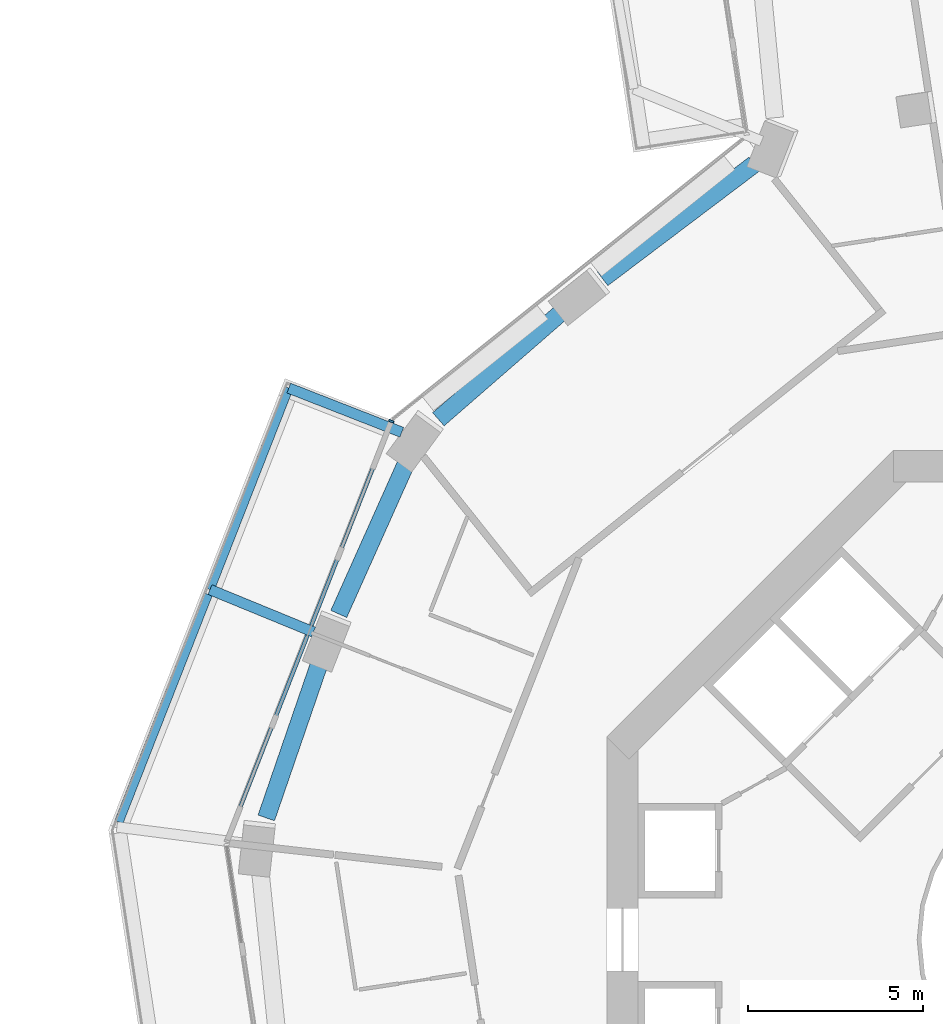
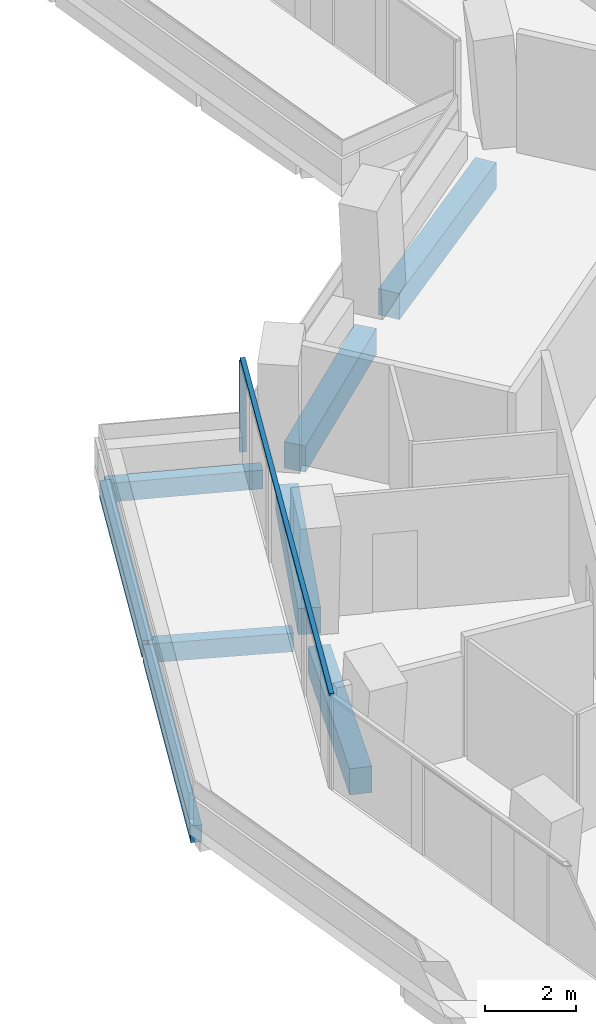
# One storey, part 7 of 28: 8 beams, 2 members, 1 element without a shape of its own.
"""IFC4 building model written with IfcOpenShell, lengths in metres."""

from ifc_helpers import new_model, si_unit, direction, frame, origin, origin_2d, place, context, subcontext, project, spatial, rectangle, extrude, material, layer, layer_set, material_profile, profile_set, type_object, element, aggregate, save


model = new_model("IFC4")

# Units and contexts
model_context = context("Model", 3, precision=1e-05, world=origin(), true_north=direction((0.0, 1.0)))
body_context = subcontext(model_context, "Body", "Model", "MODEL_VIEW")
ifc_project = project(units=[si_unit("LENGTHUNIT", "METRE"), si_unit("AREAUNIT", "SQUARE_METRE"), si_unit("VOLUMEUNIT", "CUBIC_METRE"), si_unit("PLANEANGLEUNIT", "RADIAN"), si_unit("MASSUNIT", "GRAM", prefix="KILO")], contexts=[model_context])

# Site, building, storey
site_placement = place(None, origin())
site = spatial("IfcSite", under=ifc_project, at=site_placement, CompositionType="ELEMENT")
building_placement = place(site_placement, origin())
building = spatial("IfcBuilding", under=site, at=building_placement, Name="Verdalira Terraces Hotel", CompositionType="ELEMENT")
storey_placement = place(building_placement, frame((0.0, 0.0, 68.0)))
storey = spatial("IfcBuildingStorey", under=building, at=storey_placement, Name="L15", CompositionType="ELEMENT", Elevation=68.0)

# Beams
ifc_material_1 = material(Name="Concrete C40", Category="concrete")
ifc_material_profile_1 = material_profile(ifc_material_1, rectangle(XDim=0.300049, YDim=0.5, at=origin_2d()), Name="RC 300X500")
ifc_profile_set_1 = profile_set([ifc_material_profile_1], Name="Concrete C40")
beam_type_1 = type_object("IfcBeamType", Name="Balcony cantilever beam RC 300X500 C40", PredefinedType="BEAM", material=ifc_profile_set_1)
beam_1_placement = place(storey_placement, frame((-19.863525, 14.517334, -0.560059), z_axis=(-0.931315392, 0.364213729, 0.0), x_axis=(-0.364213729, -0.931315392, 0.0)))
element("IfcBeam", 1, at=beam_1_placement, inside=storey, type_object=beam_type_1, Name="Balcony cantilever beam R12-3", PredefinedType="BEAM", context=body_context, shape_type="SweptSolid", body=[
    extrude(rectangle(XDim=0.300049, YDim=0.5, at=origin_2d()), origin(), (0.0, 0.0, 1.0), 3.47168),
])
beam_2_placement = place(storey_placement, frame((-22.389893, 8.802246, -0.560059), z_axis=(-0.925088249, 0.379752197, 0.0), x_axis=(-0.379752197, -0.925088249, 0.0)))
element("IfcBeam", 2, at=beam_2_placement, inside=storey, type_object=beam_type_1, Name="Balcony cantilever beam R12-4", PredefinedType="BEAM", context=body_context, shape_type="SweptSolid", body=[
    extrude(rectangle(XDim=0.300049, YDim=0.5, at=origin_2d()), origin(), (0.0, 0.0, 1.0), 3.200928),
])
ifc_material_2 = material(Name="Concrete C40", Category="concrete")
ifc_material_profile_2 = material_profile(ifc_material_2, rectangle(XDim=0.25, YDim=0.449951, at=origin_2d()), Name="RC 250X450")
ifc_profile_set_2 = profile_set([ifc_material_profile_2], Name="Concrete C40")
beam_type_2 = type_object("IfcBeamType", Name="Balcony edge beam RC 250X450 C40", PredefinedType="BEAM", material=ifc_profile_set_2)
beam_3_placement = place(storey_placement, frame((-23.09668, 15.781738, -0.534912), z_axis=(-0.364252097, -0.931300386, 0.0), x_axis=(0.931300386, -0.364252097, 0.0)))
element("IfcBeam", 3, at=beam_3_placement, inside=storey, type_object=beam_type_2, Name="Balcony edge beam R12-2", PredefinedType="BEAM", context=body_context, shape_type="SweptSolid", body=[
    extrude(rectangle(XDim=0.25, YDim=0.449951, at=origin_2d()), origin(), (0.0, 0.0, 1.0), 6.189209),
])
beam_4_placement = place(storey_placement, frame((-25.405762, 9.878174, -0.534912), z_axis=(-0.364968215, -0.931019979, 0.0), x_axis=(0.931019979, -0.364968215, 0.0)))
element("IfcBeam", 4, at=beam_4_placement, inside=storey, type_object=beam_type_2, Name="Balcony edge beam R12-3", PredefinedType="BEAM", context=body_context, shape_type="SweptSolid", body=[
    extrude(rectangle(XDim=0.25, YDim=0.449951, at=origin_2d()), origin(), (0.0, 0.0, 1.0), 6.989746),
])

# Curtain wall, members
ifc_material_3 = material(Name="Clear glass", Category="glass")
ifc_layer = layer(ifc_material_3, 0.14990234375)
ifc_layer_set = layer_set([ifc_layer], Name="CW1 curtain wall")
curtain_wall_type = type_object("IfcCurtainWallType", Name="CW1 curtain wall", PredefinedType="NOTDEFINED", material=ifc_layer_set)
curtain_wall_placement = place(storey_placement, origin())
curtain_wall = element("IfcCurtainWall", 5, at=curtain_wall_placement, inside=storey, type_object=curtain_wall_type, Name="CW1 curtain wall L15 edge 12", PredefinedType="NOTDEFINED")
ifc_material_4 = material(Name="Terracotta frame", Category="masonry")
ifc_material_profile_3 = material_profile(ifc_material_4, rectangle(XDim=0.060059, YDim=0.149902, at=origin_2d()), Name="MU 60x150")
ifc_profile_set_3 = profile_set([ifc_material_profile_3], Name="Terracotta frame")
member_type_1 = type_object("IfcMemberType", Name="CW1 mullion 60x150", PredefinedType="MULLION", material=ifc_profile_set_3)
member_1_placement = place(storey_placement, frame((-20.165527, 14.83374, 0.0), z_axis=(0.0, 0.0, 1.0), x_axis=(-0.364226696, -0.931310321, 0.0)))
member_1 = element("IfcMember", 6, at=member_1_placement, type_object=member_type_1, Name="CW1 mullion", PredefinedType="MULLION", context=body_context, shape_type="SweptSolid", body=[
    extrude(rectangle(XDim=0.060059, YDim=0.149902, at=origin_2d()), origin(), (0.0, 0.0, 1.0), 2.425049),
])
ifc_material_5 = material(Name="Terracotta frame", Category="masonry")
ifc_material_profile_4 = material_profile(ifc_material_5, rectangle(XDim=0.110107, YDim=0.064941, at=origin_2d()), Name="TR 65x110")
ifc_profile_set_4 = profile_set([ifc_material_profile_4], Name="Terracotta frame")
member_type_2 = type_object("IfcMemberType", Name="CW1 transom 65x110", PredefinedType="USERDEFINED", material=ifc_profile_set_4)
member_2_placement = place(storey_placement, frame((-20.154785, 14.861816, 2.45752), z_axis=(-0.364221057, -0.931312526, 0.0), x_axis=(0.931312526, -0.364221057, 0.0)))
member_2 = element("IfcMember", 7, at=member_2_placement, type_object=member_type_2, Name="CW1 transom", ObjectType="TRANSOM", PredefinedType="USERDEFINED", context=body_context, shape_type="SweptSolid", body=[
    extrude(rectangle(XDim=0.110107, YDim=0.064941, at=origin_2d()), origin(), (0.0, 0.0, 1.0), 12.959717),
])
aggregate(curtain_wall, [member_1, member_2])

# Beams
ifc_material_6 = material(Name="Concrete C70", Category="concrete")
ifc_material_profile_5 = material_profile(ifc_material_6, rectangle(XDim=0.5, YDim=0.699951, at=origin_2d()), Name="RC 500X700")
ifc_profile_set_5 = profile_set([ifc_material_profile_5], Name="Concrete C70")
beam_type_3 = type_object("IfcBeamType", Name="Spandrel beam RC 500X700 C70", PredefinedType="SPANDREL", material=ifc_profile_set_5)
beam_5_placement = place(storey_placement, frame((-9.780518, 22.188965, -0.659912), z_axis=(-0.797964708, -0.602704176, 0.0), x_axis=(0.602704176, -0.797964708, 0.0)))
element("IfcBeam", 8, at=beam_5_placement, inside=storey, type_object=beam_type_3, Name="Spandrel beam B08", PredefinedType="SPANDREL", context=body_context, shape_type="SweptSolid", body=[
    extrude(rectangle(XDim=0.5, YDim=0.699951, at=origin_2d()), origin(), (0.0, 0.0, 1.0), 5.438965),
])
beam_6_placement = place(storey_placement, frame((-15.22998, 18.010254, -0.659912), z_axis=(-0.754434181, -0.656375706, 0.0), x_axis=(0.656375706, -0.754434181, 0.0)))
element("IfcBeam", 9, at=beam_6_placement, inside=storey, type_object=beam_type_3, Name="Spandrel beam B09", PredefinedType="SPANDREL", context=body_context, shape_type="SweptSolid", body=[
    extrude(rectangle(XDim=0.5, YDim=0.699951, at=origin_2d()), origin(), (0.0, 0.0, 1.0), 4.755371),
])
beam_7_placement = place(storey_placement, frame((-19.723877, 13.66333, -0.659912), z_axis=(-0.408426806, -0.912791074, 0.0), x_axis=(0.912791074, -0.408426806, 0.0)))
element("IfcBeam", 10, at=beam_7_placement, inside=storey, type_object=beam_type_3, Name="Spandrel beam B10", PredefinedType="SPANDREL", context=body_context, shape_type="SweptSolid", body=[
    extrude(rectangle(XDim=0.5, YDim=0.699951, at=origin_2d()), origin(), (0.0, 0.0, 1.0), 4.758789),
])
beam_8_placement = place(storey_placement, frame((-22.19458, 7.982422, -0.659912), z_axis=(-0.325177332, -0.945653056, 0.0), x_axis=(0.945653056, -0.325177332, 0.0)))
element("IfcBeam", 11, at=beam_8_placement, inside=storey, type_object=beam_type_3, Name="Spandrel beam B11", PredefinedType="SPANDREL", context=body_context, shape_type="SweptSolid", body=[
    extrude(rectangle(XDim=0.5, YDim=0.699951, at=origin_2d()), origin(), (0.0, 0.0, 1.0), 4.755615),
])

save(model, "model.ifc")
